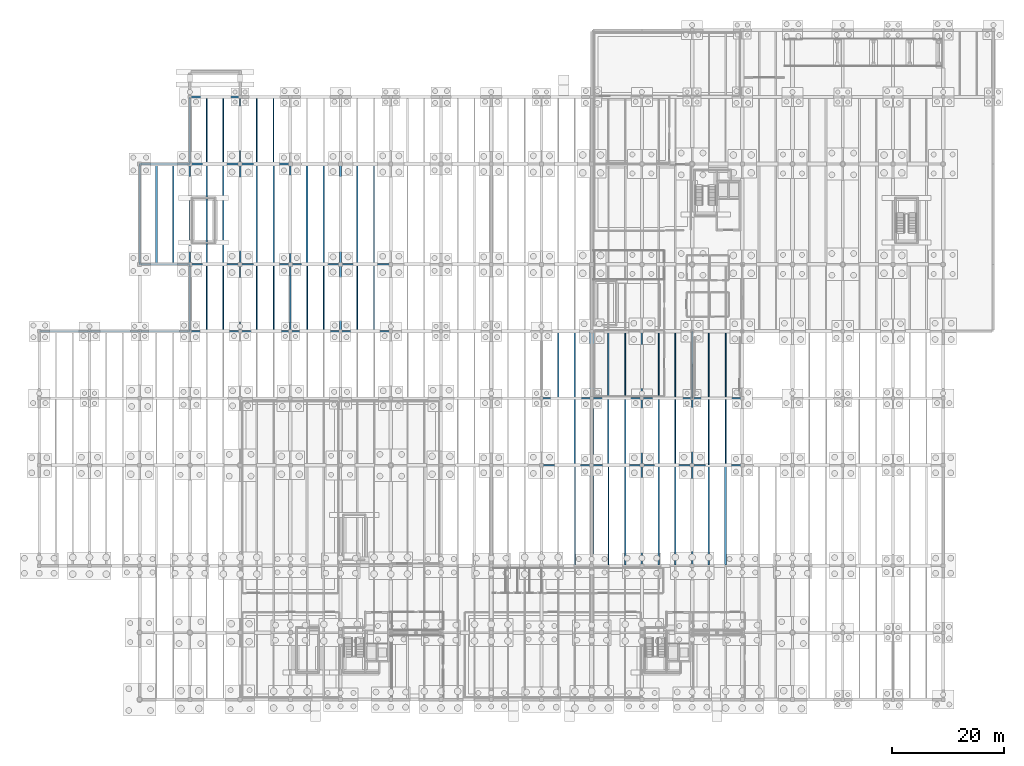
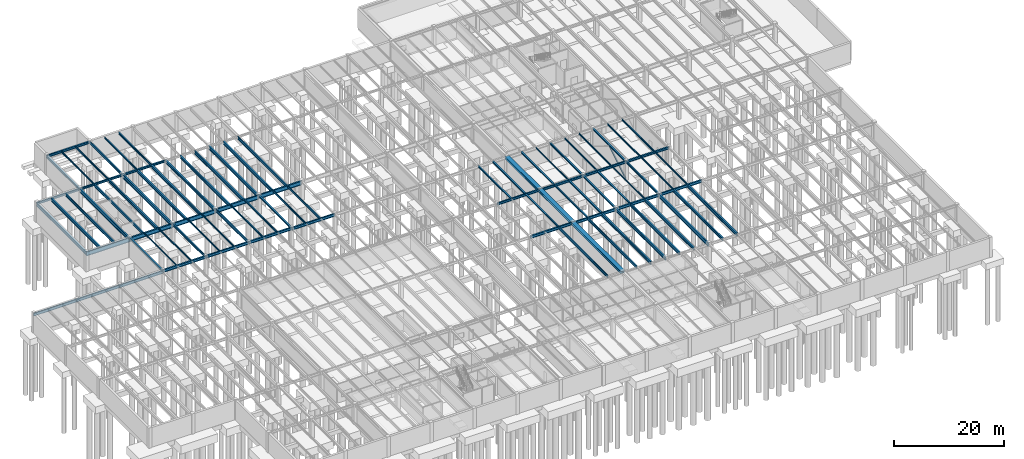
# One storey, part 17 of 40: 88 beams, 1 member.
"""IFC4 building model written with IfcOpenShell, lengths in metres."""

from ifc_helpers import new_model, si_unit, direction, frame, origin, origin_2d, place, context, subcontext, project, spatial, hollow_circle, i_section, extrude, material, material_profile, profile_set, type_object, element, save


model = new_model("IFC4")

# Units and contexts
model_context = context("Model", 3, precision=1e-05, world=origin(), true_north=direction((0.0, 1.0)))
body_context = subcontext(model_context, "Body", "Model", "MODEL_VIEW")
ifc_project = project(units=[si_unit("LENGTHUNIT", "METRE"), si_unit("AREAUNIT", "SQUARE_METRE"), si_unit("VOLUMEUNIT", "CUBIC_METRE"), si_unit("PLANEANGLEUNIT", "RADIAN"), si_unit("MASSUNIT", "GRAM", prefix="KILO")], contexts=[model_context])

# Site, building, storey
site_placement = place(None, origin())
site = spatial("IfcSite", under=ifc_project, at=site_placement, CompositionType="ELEMENT")
building_placement = place(site_placement, origin())
building = spatial("IfcBuilding", under=site, at=building_placement, Name="Montelvaro Courts of Justice", CompositionType="ELEMENT")
storey_placement = place(building_placement, frame((0.0, 0.0, -4.5)))
storey = spatial("IfcBuildingStorey", under=building, at=storey_placement, Name="B01", CompositionType="ELEMENT", Elevation=-4.5)

# Beams
ifc_material = material(Name="Steel S355", Category="steel")
ifc_material_profile_1 = material_profile(ifc_material, i_section(OverallWidth=0.280029296875, OverallDepth=0.27001953125, WebThickness=0.008056640625, FlangeThickness=0.012939453125, at=origin_2d()), Name="HEA 280")
ifc_profile_set_1 = profile_set([ifc_material_profile_1], Name="Steel S355")
beam_type_1 = type_object("IfcBeamType", Name="Beam_HEA280", PredefinedType="BEAM", material=ifc_profile_set_1)
for number, where, z_axis, x_axis, name in (
    (1, (96.0, 42.110107421875, 4.18505859375), (0.0, 1.0, 0.0), (-1.0, 0.0, 0.0), "Beam B-14 B01"),
    (2, (93.0, 54.110107421875, 4.18505859375), (0.0, 1.0, 0.0), (-1.0, 0.0, 0.0), "Beam B-14 B01"),
    (3, (102.0, 42.110107421875, 4.18505859375), (0.0, 1.0, 0.0), (-1.0, 0.0, 0.0), "Beam B-14 B01"),
):
    element("IfcBeam", number, at=place(storey_placement, frame(where, z_axis=z_axis, x_axis=x_axis)), inside=storey, type_object=beam_type_1, Name=name, PredefinedType="BEAM", context=body_context, shape_type="SweptSolid", body=[
        extrude(i_section(OverallWidth=0.280029296875, OverallDepth=0.27001953125, WebThickness=0.008056640625, FlangeThickness=0.012939453125, at=origin_2d()), origin(), (0.0, 0.0, 1.0), 11.77978515625),
    ])
ifc_material_profile_2 = material_profile(ifc_material, i_section(OverallWidth=0.300048828125, OverallDepth=0.31005859375, WebThickness=0.009033203125, FlangeThickness=0.015380859375, at=origin_2d()), Name="HEA 320")
ifc_profile_set_2 = profile_set([ifc_material_profile_2], Name="Steel S355")
beam_type_2 = type_object("IfcBeamType", Name="Beam_HEA320", PredefinedType="BEAM", material=ifc_profile_set_2)
for number, where, z_axis, x_axis, name in (
    (4, (96.0, 54.110107421875, 4.1650390625), (0.0, 1.0, 0.0), (-1.0, 0.0, 0.0), "Beam B-15 B01"),
    (5, (105.0, 42.110107421875, 4.06494140625), (0.0, 1.0, 0.0), (-1.0, 0.0, 0.0), "Beam B-15 B01"),
    (6, (102.0, 54.110107421875, 4.1650390625), (0.0, 1.0, 0.0), (-1.0, 0.0, 0.0), "Beam B-15 B01"),
    (7, (111.0, 42.110107421875, 4.06494140625), (0.0, 1.0, 0.0), (-1.0, 0.0, 0.0), "Beam B-15 B01"),
):
    element("IfcBeam", number, at=place(storey_placement, frame(where, z_axis=z_axis, x_axis=x_axis)), inside=storey, type_object=beam_type_2, Name=name, PredefinedType="BEAM", context=body_context, shape_type="SweptSolid", body=[
        extrude(i_section(OverallWidth=0.300048828125, OverallDepth=0.31005859375, WebThickness=0.009033203125, FlangeThickness=0.015380859375, at=origin_2d()), origin(), (0.0, 0.0, 1.0), 11.77978515625),
    ])
ifc_material_profile_3 = material_profile(ifc_material, i_section(OverallWidth=0.300048828125, OverallDepth=0.35009765625, WebThickness=0.010009765625, FlangeThickness=0.017578125, at=origin_2d()), Name="HEA 360")
ifc_profile_set_3 = profile_set([ifc_material_profile_3], Name="Steel S355")
beam_type_3 = type_object("IfcBeamType", Name="Beam_HEA360", PredefinedType="USERDEFINED", material=ifc_profile_set_3)
for number, where, z_axis, x_axis, name in (
    (8, (54.0, 66.0, 4.044921875), (0.0, 1.0, 0.0), (-1.0, 0.0, 0.0), "Beam B-16 B01"),
    (9, (108.0, 42.0, 4.044921875), (0.0, 1.0, 0.0), (-1.0, 0.0, 0.0), "Beam B-16 B01"),
    (10, (108.0, 54.0, 4.044921875), (0.0, 1.0, 0.0), (-1.0, 0.0, 0.0), "Beam B-16 B01"),
):
    element("IfcBeam", number, at=place(storey_placement, frame(where, z_axis=z_axis, x_axis=x_axis)), inside=storey, type_object=beam_type_3, Name=name, ObjectType="GIRDER", PredefinedType="USERDEFINED", context=body_context, shape_type="SweptSolid", body=[
        extrude(i_section(OverallWidth=0.300048828125, OverallDepth=0.35009765625, WebThickness=0.010009765625, FlangeThickness=0.017578125, at=origin_2d()), origin(), (0.0, 0.0, 1.0), 12.0),
    ])
ifc_material_profile_4 = material_profile(ifc_material, i_section(OverallWidth=0.300048828125, OverallDepth=0.389892578125, WebThickness=0.010986328125, FlangeThickness=0.01904296875, at=origin_2d()), Name="HEA 400")
ifc_profile_set_4 = profile_set([ifc_material_profile_4], Name="Steel S355")
beam_type_4 = type_object("IfcBeamType", Name="Beam_HEA400", PredefinedType="USERDEFINED", material=ifc_profile_set_4)
for number, where, z_axis, x_axis, name in (
    (11, (117.0, 42.0, 4.02490234375), (0.0, 1.0, 0.0), (-1.0, 0.0, 0.0), "Beam B-17 B01"),
    (12, (117.0, 54.0, 4.02490234375), (0.0, 1.0, 0.0), (-1.0, 0.0, 0.0), "Beam B-17 B01"),
):
    element("IfcBeam", number, at=place(storey_placement, frame(where, z_axis=z_axis, x_axis=x_axis)), inside=storey, type_object=beam_type_4, Name=name, ObjectType="GIRDER", PredefinedType="USERDEFINED", context=body_context, shape_type="SweptSolid", body=[
        extrude(i_section(OverallWidth=0.300048828125, OverallDepth=0.389892578125, WebThickness=0.010986328125, FlangeThickness=0.01904296875, at=origin_2d()), origin(), (0.0, 0.0, 1.0), 12.0),
    ])
ifc_material_profile_5 = material_profile(ifc_material, i_section(OverallWidth=0.300048828125, OverallDepth=0.43994140625, WebThickness=0.011474609375, FlangeThickness=0.02099609375, at=origin_2d()), Name="HEA 450")
ifc_profile_set_5 = profile_set([ifc_material_profile_5], Name="Steel S355")
beam_type_5 = type_object("IfcBeamType", Name="Beam_HEA450", PredefinedType="USERDEFINED", material=ifc_profile_set_5)
for number, where, z_axis, x_axis, name in (
    (13, (18.0, 96.0, 3.9599609375), (1.0, 0.0, 0.0), (0.0, 1.0, 0.0), "Beam B-18 B01"),
    (14, (27.0, 96.0, 3.9599609375), (1.0, 0.0, 0.0), (0.0, 1.0, 0.0), "Beam B-18 B01"),
    (15, (36.0, 96.0, 3.9599609375), (1.0, 0.0, 0.0), (0.0, 1.0, 0.0), "Beam B-18 B01"),
):
    element("IfcBeam", number, at=place(storey_placement, frame(where, z_axis=z_axis, x_axis=x_axis)), inside=storey, type_object=beam_type_5, Name=name, ObjectType="GIRDER", PredefinedType="USERDEFINED", context=body_context, shape_type="SweptSolid", body=[
        extrude(i_section(OverallWidth=0.300048828125, OverallDepth=0.43994140625, WebThickness=0.011474609375, FlangeThickness=0.02099609375, at=origin_2d()), origin(), (0.0, 0.0, 1.0), 9.0),
    ])
ifc_material_profile_6 = material_profile(ifc_material, i_section(OverallWidth=0.300048828125, OverallDepth=0.489990234375, WebThickness=0.011962890625, FlangeThickness=0.02294921875, at=origin_2d()), Name="HEA 500")
ifc_profile_set_6 = profile_set([ifc_material_profile_6], Name="Steel S355")
beam_type_6 = type_object("IfcBeamType", Name="Beam_HEA500", PredefinedType="USERDEFINED", material=ifc_profile_set_6)
beam_1_placement = place(storey_placement, frame((27.0, 108.0, 3.93505859375), z_axis=(1.0, 0.0, 0.0), x_axis=(0.0, 1.0, 0.0)))
element("IfcBeam", 16, at=beam_1_placement, inside=storey, type_object=beam_type_6, Name="Beam B-19 B01", ObjectType="GIRDER", PredefinedType="USERDEFINED", context=body_context, shape_type="SweptSolid", body=[
    extrude(i_section(OverallWidth=0.300048828125, OverallDepth=0.489990234375, WebThickness=0.011962890625, FlangeThickness=0.02294921875, at=origin_2d()), origin(), (0.0, 0.0, 1.0), 9.0),
])
for number, where, z_axis, x_axis, name in (
    (17, (27.0, 66.0, 4.074951171875), (0.0, 1.0, 0.0), (-1.0, 0.0, 0.0), "Beam B-19 B01"),
    (18, (27.0, 96.0, 3.93505859375), (0.0, 1.0, 0.0), (-1.0, 0.0, 0.0), "Beam B-19 B01"),
):
    element("IfcBeam", number, at=place(storey_placement, frame(where, z_axis=z_axis, x_axis=x_axis)), inside=storey, type_object=beam_type_6, Name=name, ObjectType="GIRDER", PredefinedType="USERDEFINED", context=body_context, shape_type="SweptSolid", body=[
        extrude(i_section(OverallWidth=0.300048828125, OverallDepth=0.489990234375, WebThickness=0.011962890625, FlangeThickness=0.02294921875, at=origin_2d()), origin(), (0.0, 0.0, 1.0), 12.0),
    ])
ifc_material_profile_7 = material_profile(ifc_material, i_section(OverallWidth=0.300048828125, OverallDepth=0.590087890625, WebThickness=0.012939453125, FlangeThickness=0.02490234375, at=origin_2d()), Name="HEA 600")
ifc_profile_set_7 = profile_set([ifc_material_profile_7], Name="Steel S355")
beam_type_7 = type_object("IfcBeamType", Name="Beam_HEA600", PredefinedType="USERDEFINED", material=ifc_profile_set_7)
for number, where, z_axis, x_axis, name in (
    (19, (90.0, 42.0, 4.02490234375), (1.0, 0.0, 0.0), (0.0, 1.0, 0.0), "Beam B-21 B01"),
    (20, (99.050048828125, 42.0, 3.925048828125), (1.0, 0.0, 0.0), (0.0, 1.0, 0.0), "Beam B-21 B01"),
):
    element("IfcBeam", number, at=place(storey_placement, frame(where, z_axis=z_axis, x_axis=x_axis)), inside=storey, type_object=beam_type_7, Name=name, ObjectType="GIRDER", PredefinedType="USERDEFINED", context=body_context, shape_type="SweptSolid", body=[
        extrude(i_section(OverallWidth=0.300048828125, OverallDepth=0.590087890625, WebThickness=0.012939453125, FlangeThickness=0.02490234375, at=origin_2d()), origin(), (0.0, 0.0, 1.0), 8.949951171875),
    ])
for number, where, z_axis, x_axis, name in (
    (21, (108.0, 42.0, 3.925048828125), (1.0, 0.0, 0.0), (0.0, 1.0, 0.0), "Beam B-21 B01"),
    (22, (117.0, 42.0, 3.925048828125), (1.0, 0.0, 0.0), (0.0, 1.0, 0.0), "Beam B-21 B01"),
):
    element("IfcBeam", number, at=place(storey_placement, frame(where, z_axis=z_axis, x_axis=x_axis)), inside=storey, type_object=beam_type_7, Name=name, ObjectType="GIRDER", PredefinedType="USERDEFINED", context=body_context, shape_type="SweptSolid", body=[
        extrude(i_section(OverallWidth=0.300048828125, OverallDepth=0.590087890625, WebThickness=0.012939453125, FlangeThickness=0.02490234375, at=origin_2d()), origin(), (0.0, 0.0, 1.0), 9.0),
    ])
ifc_material_profile_8 = material_profile(ifc_material, i_section(OverallWidth=0.300048828125, OverallDepth=0.639892578125, WebThickness=0.013427734375, FlangeThickness=0.02587890625, at=origin_2d()), Name="HEA 650")
ifc_profile_set_8 = profile_set([ifc_material_profile_8], Name="Steel S355")
beam_type_8 = type_object("IfcBeamType", Name="Beam_HEA650", PredefinedType="USERDEFINED", material=ifc_profile_set_8)
for number, where, z_axis, x_axis, name in (
    (23, (42.0, 78.110107421875, 3.860107421875), (0.0, 1.0, 0.0), (-1.0, 0.0, 0.0), "Beam B-22 B01"),
    (24, (48.0, 78.110107421875, 3.860107421875), (0.0, 1.0, 0.0), (-1.0, 0.0, 0.0), "Beam B-22 B01"),
    (25, (114.0, 24.110107421875, 3.89990234375), (0.0, 1.0, 0.0), (-1.0, 0.0, 0.0), "Beam B-22 B01"),
    (26, (120.0, 24.110107421875, 3.89990234375), (0.0, 1.0, 0.0), (-1.0, 0.0, 0.0), "Beam B-22 B01"),
):
    element("IfcBeam", number, at=place(storey_placement, frame(where, z_axis=z_axis, x_axis=x_axis)), inside=storey, type_object=beam_type_8, Name=name, ObjectType="GIRDER", PredefinedType="USERDEFINED", context=body_context, shape_type="SweptSolid", body=[
        extrude(i_section(OverallWidth=0.300048828125, OverallDepth=0.639892578125, WebThickness=0.013427734375, FlangeThickness=0.02587890625, at=origin_2d()), origin(), (0.0, 0.0, 1.0), 17.77978515625),
    ])
ifc_material_profile_9 = material_profile(ifc_material, i_section(OverallWidth=0.300048828125, OverallDepth=0.68994140625, WebThickness=0.014404296875, FlangeThickness=0.027099609375, at=origin_2d()), Name="HEA 700")
ifc_profile_set_9 = profile_set([ifc_material_profile_9], Name="Steel S355")
beam_type_9 = type_object("IfcBeamType", Name="Beam_HEA700", PredefinedType="USERDEFINED", material=ifc_profile_set_9)
for number, where, z_axis, x_axis, name in (
    (27, (18.0, 78.0, 3.8349609375), (0.0, 1.0, 0.0), (-1.0, 0.0, 0.0), "Beam B-23 B01"),
    (28, (108.0, 24.0, 3.875), (0.0, 1.0, 0.0), (-1.0, 0.0, 0.0), "Beam B-23 B01"),
):
    element("IfcBeam", number, at=place(storey_placement, frame(where, z_axis=z_axis, x_axis=x_axis)), inside=storey, type_object=beam_type_9, Name=name, ObjectType="GIRDER", PredefinedType="USERDEFINED", context=body_context, shape_type="SweptSolid", body=[
        extrude(i_section(OverallWidth=0.300048828125, OverallDepth=0.68994140625, WebThickness=0.014404296875, FlangeThickness=0.027099609375, at=origin_2d()), origin(), (0.0, 0.0, 1.0), 18.0),
    ])
for number, where, z_axis, x_axis, name in (
    (29, (21.0, 78.110107421875, 3.8349609375), (0.0, 1.0, 0.0), (-1.0, 0.0, 0.0), "Beam B-23 B01"),
    (30, (51.0, 78.110107421875, 3.8349609375), (0.0, 1.0, 0.0), (-1.0, 0.0, 0.0), "Beam B-23 B01"),
    (31, (57.0, 78.110107421875, 3.8349609375), (0.0, 1.0, 0.0), (-1.0, 0.0, 0.0), "Beam B-23 B01"),
    (32, (123.0, 24.110107421875, 3.875), (0.0, 1.0, 0.0), (-1.0, 0.0, 0.0), "Beam B-23 B01"),
):
    element("IfcBeam", number, at=place(storey_placement, frame(where, z_axis=z_axis, x_axis=x_axis)), inside=storey, type_object=beam_type_9, Name=name, ObjectType="GIRDER", PredefinedType="USERDEFINED", context=body_context, shape_type="SweptSolid", body=[
        extrude(i_section(OverallWidth=0.300048828125, OverallDepth=0.68994140625, WebThickness=0.014404296875, FlangeThickness=0.027099609375, at=origin_2d()), origin(), (0.0, 0.0, 1.0), 17.77978515625),
    ])
ifc_material_profile_10 = material_profile(ifc_material, i_section(OverallWidth=0.300048828125, OverallDepth=0.7900390625, WebThickness=0.014892578125, FlangeThickness=0.028076171875, at=origin_2d()), Name="HEA 800")
ifc_profile_set_10 = profile_set([ifc_material_profile_10], Name="Steel S355")
beam_type_10 = type_object("IfcBeamType", Name="Beam_HEA800", PredefinedType="USERDEFINED", material=ifc_profile_set_10)
for number, where, z_axis, x_axis, name in (
    (33, (27.0, 78.0, 3.784912109375), (0.0, 1.0, 0.0), (-1.0, 0.0, 0.0), "Beam B-24 B01"),
    (34, (117.0, 24.0, 3.824951171875), (0.0, 1.0, 0.0), (-1.0, 0.0, 0.0), "Beam B-24 B01"),
):
    element("IfcBeam", number, at=place(storey_placement, frame(where, z_axis=z_axis, x_axis=x_axis)), inside=storey, type_object=beam_type_10, Name=name, ObjectType="GIRDER", PredefinedType="USERDEFINED", context=body_context, shape_type="SweptSolid", body=[
        extrude(i_section(OverallWidth=0.300048828125, OverallDepth=0.7900390625, WebThickness=0.014892578125, FlangeThickness=0.028076171875, at=origin_2d()), origin(), (0.0, 0.0, 1.0), 18.0),
    ])
ifc_material_profile_11 = material_profile(ifc_material, i_section(OverallWidth=0.300048828125, OverallDepth=0.5, WebThickness=0.014404296875, FlangeThickness=0.028076171875, at=origin_2d()), Name="HEB 500")
ifc_profile_set_11 = profile_set([ifc_material_profile_11], Name="Steel S355")
beam_type_11 = type_object("IfcBeamType", Name="Beam_HEB500", PredefinedType="USERDEFINED", material=ifc_profile_set_11)
for number, where, z_axis, x_axis, name in (
    (35, (90.0, 54.0, 4.070068359375), (1.0, 0.0, 0.0), (0.0, 1.0, 0.0), "Beam B-25 B01"),
    (36, (99.050048828125, 54.0, 3.969970703125), (1.0, 0.0, 0.0), (0.0, 1.0, 0.0), "Beam B-25 B01"),
):
    element("IfcBeam", number, at=place(storey_placement, frame(where, z_axis=z_axis, x_axis=x_axis)), inside=storey, type_object=beam_type_11, Name=name, ObjectType="GIRDER", PredefinedType="USERDEFINED", context=body_context, shape_type="SweptSolid", body=[
        extrude(i_section(OverallWidth=0.300048828125, OverallDepth=0.5, WebThickness=0.014404296875, FlangeThickness=0.028076171875, at=origin_2d()), origin(), (0.0, 0.0, 1.0), 8.949951171875),
    ])
for number, where, z_axis, x_axis, name in (
    (37, (108.0, 54.0, 3.969970703125), (1.0, 0.0, 0.0), (0.0, 1.0, 0.0), "Beam B-25 B01"),
    (38, (117.0, 54.0, 3.969970703125), (1.0, 0.0, 0.0), (0.0, 1.0, 0.0), "Beam B-25 B01"),
):
    element("IfcBeam", number, at=place(storey_placement, frame(where, z_axis=z_axis, x_axis=x_axis)), inside=storey, type_object=beam_type_11, Name=name, ObjectType="GIRDER", PredefinedType="USERDEFINED", context=body_context, shape_type="SweptSolid", body=[
        extrude(i_section(OverallWidth=0.300048828125, OverallDepth=0.5, WebThickness=0.014404296875, FlangeThickness=0.028076171875, at=origin_2d()), origin(), (0.0, 0.0, 1.0), 9.0),
    ])
ifc_material_profile_12 = material_profile(ifc_material, i_section(OverallWidth=0.300048828125, OverallDepth=0.60009765625, WebThickness=0.015380859375, FlangeThickness=0.030029296875, at=origin_2d()), Name="HEB 600")
ifc_profile_set_12 = profile_set([ifc_material_profile_12], Name="Steel S355")
beam_type_12 = type_object("IfcBeamType", Name="Beam_HEB600", PredefinedType="USERDEFINED", material=ifc_profile_set_12)
for number, where, z_axis, x_axis, name in (
    (39, (0.0, 66.0, 3.860107421875), (1.0, 0.0, 0.0), (0.0, 1.0, 0.0), "Beam B-26 B01"),
    (40, (9.0, 66.0, 3.860107421875), (1.0, 0.0, 0.0), (0.0, 1.0, 0.0), "Beam B-26 B01"),
    (41, (18.0, 66.0, 3.860107421875), (1.0, 0.0, 0.0), (0.0, 1.0, 0.0), "Beam B-26 B01"),
    (42, (27.0, 66.0, 4.02001953125), (1.0, 0.0, 0.0), (0.0, 1.0, 0.0), "Beam B-26 B01"),
    (43, (36.0, 66.0, 4.02001953125), (1.0, 0.0, 0.0), (0.0, 1.0, 0.0), "Beam B-26 B01"),
    (44, (45.0, 66.0, 4.02001953125), (1.0, 0.0, 0.0), (0.0, 1.0, 0.0), "Beam B-26 B01"),
    (45, (54.0, 66.0, 3.919921875), (1.0, 0.0, 0.0), (0.0, 1.0, 0.0), "Beam B-26 B01"),
):
    element("IfcBeam", number, at=place(storey_placement, frame(where, z_axis=z_axis, x_axis=x_axis)), inside=storey, type_object=beam_type_12, Name=name, ObjectType="GIRDER", PredefinedType="USERDEFINED", context=body_context, shape_type="SweptSolid", body=[
        extrude(i_section(OverallWidth=0.300048828125, OverallDepth=0.60009765625, WebThickness=0.015380859375, FlangeThickness=0.030029296875, at=origin_2d()), origin(), (0.0, 0.0, 1.0), 9.0),
    ])
ifc_material_profile_13 = material_profile(ifc_material, i_section(OverallWidth=0.300048828125, OverallDepth=0.64990234375, WebThickness=0.01611328125, FlangeThickness=0.031005859375, at=origin_2d()), Name="HEB 650")
ifc_profile_set_13 = profile_set([ifc_material_profile_13], Name="Steel S355")
beam_type_13 = type_object("IfcBeamType", Name="Beam_HEB650", PredefinedType="USERDEFINED", material=ifc_profile_set_13)
beam_2_placement = place(storey_placement, frame((45.0, 78.0, 3.85498046875), z_axis=(0.0, 1.0, 0.0), x_axis=(-1.0, 0.0, 0.0)))
element("IfcBeam", 46, at=beam_2_placement, inside=storey, type_object=beam_type_13, Name="Beam B-27 B01", ObjectType="GIRDER", PredefinedType="USERDEFINED", context=body_context, shape_type="SweptSolid", body=[
    extrude(i_section(OverallWidth=0.300048828125, OverallDepth=0.64990234375, WebThickness=0.01611328125, FlangeThickness=0.031005859375, at=origin_2d()), origin(), (0.0, 0.0, 1.0), 18.0),
])
for number, where, z_axis, x_axis, name in (
    (47, (33.0, 78.110107421875, 3.85498046875), (0.0, 1.0, 0.0), (-1.0, 0.0, 0.0), "Beam B-27 B01"),
    (48, (39.0, 78.110107421875, 3.85498046875), (0.0, 1.0, 0.0), (-1.0, 0.0, 0.0), "Beam B-27 B01"),
    (49, (105.0, 24.110107421875, 3.89501953125), (0.0, 1.0, 0.0), (-1.0, 0.0, 0.0), "Beam B-27 B01"),
    (50, (111.0, 24.110107421875, 3.89501953125), (0.0, 1.0, 0.0), (-1.0, 0.0, 0.0), "Beam B-27 B01"),
):
    element("IfcBeam", number, at=place(storey_placement, frame(where, z_axis=z_axis, x_axis=x_axis)), inside=storey, type_object=beam_type_13, Name=name, ObjectType="GIRDER", PredefinedType="USERDEFINED", context=body_context, shape_type="SweptSolid", body=[
        extrude(i_section(OverallWidth=0.300048828125, OverallDepth=0.64990234375, WebThickness=0.01611328125, FlangeThickness=0.031005859375, at=origin_2d()), origin(), (0.0, 0.0, 1.0), 17.77978515625),
    ])
ifc_material_profile_14 = material_profile(ifc_material, i_section(OverallWidth=0.300048828125, OverallDepth=0.699951171875, WebThickness=0.01708984375, FlangeThickness=0.031982421875, at=origin_2d()), Name="HEB 700")
ifc_profile_set_14 = profile_set([ifc_material_profile_14], Name="Steel S355")
beam_type_14 = type_object("IfcBeamType", Name="Beam_HEB700", PredefinedType="USERDEFINED", material=ifc_profile_set_14)
beam_3_placement = place(storey_placement, frame((54.0, 78.0, 3.830078125), z_axis=(0.0, 1.0, 0.0), x_axis=(-1.0, 0.0, 0.0)))
element("IfcBeam", 51, at=beam_3_placement, inside=storey, type_object=beam_type_14, Name="Beam B-28 B01", ObjectType="GIRDER", PredefinedType="USERDEFINED", context=body_context, shape_type="SweptSolid", body=[
    extrude(i_section(OverallWidth=0.300048828125, OverallDepth=0.699951171875, WebThickness=0.01708984375, FlangeThickness=0.031982421875, at=origin_2d()), origin(), (0.0, 0.0, 1.0), 18.0),
])
ifc_material_profile_15 = material_profile(ifc_material, i_section(OverallWidth=0.300048828125, OverallDepth=0.800048828125, WebThickness=0.017578125, FlangeThickness=0.032958984375, at=origin_2d()), Name="HEB 800")
ifc_profile_set_15 = profile_set([ifc_material_profile_15], Name="Steel S355")
beam_type_15 = type_object("IfcBeamType", Name="Beam_HEB800", PredefinedType="USERDEFINED", material=ifc_profile_set_15)
beam_4_placement = place(storey_placement, frame((36.0, 78.0, 3.780029296875), z_axis=(0.0, 1.0, 0.0), x_axis=(-1.0, 0.0, 0.0)))
element("IfcBeam", 52, at=beam_4_placement, inside=storey, type_object=beam_type_15, Name="Beam B-29 B01", ObjectType="GIRDER", PredefinedType="USERDEFINED", context=body_context, shape_type="SweptSolid", body=[
    extrude(i_section(OverallWidth=0.300048828125, OverallDepth=0.800048828125, WebThickness=0.017578125, FlangeThickness=0.032958984375, at=origin_2d()), origin(), (0.0, 0.0, 1.0), 18.0),
])
ifc_material_profile_16 = material_profile(ifc_material, i_section(OverallWidth=0.300048828125, OverallDepth=0.89990234375, WebThickness=0.0185546875, FlangeThickness=0.034912109375, at=origin_2d()), Name="HEB 900")
ifc_profile_set_16 = profile_set([ifc_material_profile_16], Name="Steel S355")
beam_type_16 = type_object("IfcBeamType", Name="Beam_HEB900", PredefinedType="USERDEFINED", material=ifc_profile_set_16)
for number, where, z_axis, x_axis, name in (
    (53, (18.0, 78.0, 3.72998046875), (1.0, 0.0, 0.0), (0.0, 1.0, 0.0), "Beam B-30 B01"),
    (54, (27.0, 78.0, 3.72998046875), (1.0, 0.0, 0.0), (0.0, 1.0, 0.0), "Beam B-30 B01"),
    (55, (36.0, 78.0, 3.72998046875), (1.0, 0.0, 0.0), (0.0, 1.0, 0.0), "Beam B-30 B01"),
    (56, (45.0, 78.0, 3.72998046875), (1.0, 0.0, 0.0), (0.0, 1.0, 0.0), "Beam B-30 B01"),
    (57, (54.0, 78.0, 3.72998046875), (1.0, 0.0, 0.0), (0.0, 1.0, 0.0), "Beam B-30 B01"),
):
    element("IfcBeam", number, at=place(storey_placement, frame(where, z_axis=z_axis, x_axis=x_axis)), inside=storey, type_object=beam_type_16, Name=name, ObjectType="GIRDER", PredefinedType="USERDEFINED", context=body_context, shape_type="SweptSolid", body=[
        extrude(i_section(OverallWidth=0.300048828125, OverallDepth=0.89990234375, WebThickness=0.0185546875, FlangeThickness=0.034912109375, at=origin_2d()), origin(), (0.0, 0.0, 1.0), 9.0),
    ])
ifc_material_profile_17 = material_profile(ifc_material, i_section(OverallWidth=0.14990234375, OverallDepth=0.300048828125, WebThickness=0.007080078125, FlangeThickness=0.0107421875, at=origin_2d()), Name="IPE 300")
ifc_profile_set_17 = profile_set([ifc_material_profile_17], Name="Steel S355")
beam_type_17 = type_object("IfcBeamType", Name="Beam_IPE300", PredefinedType="BEAM", material=ifc_profile_set_17)
for number, where, z_axis, x_axis, name in (
    (58, (30.0, 66.110107421875, 4.169921875), (0.0, 1.0, 0.0), (-1.0, 0.0, 0.0), "Beam B-05 B01"),
    (59, (105.0, 54.110107421875, 4.070068359375), (0.0, 1.0, 0.0), (-1.0, 0.0, 0.0), "Beam B-05 B01"),
    (60, (114.0, 42.110107421875, 4.070068359375), (0.0, 1.0, 0.0), (-1.0, 0.0, 0.0), "Beam B-05 B01"),
    (61, (111.0, 54.110107421875, 4.070068359375), (0.0, 1.0, 0.0), (-1.0, 0.0, 0.0), "Beam B-05 B01"),
    (62, (120.0, 42.110107421875, 4.070068359375), (0.0, 1.0, 0.0), (-1.0, 0.0, 0.0), "Beam B-05 B01"),
):
    element("IfcBeam", number, at=place(storey_placement, frame(where, z_axis=z_axis, x_axis=x_axis)), inside=storey, type_object=beam_type_17, Name=name, PredefinedType="BEAM", context=body_context, shape_type="SweptSolid", body=[
        extrude(i_section(OverallWidth=0.14990234375, OverallDepth=0.300048828125, WebThickness=0.007080078125, FlangeThickness=0.0107421875, at=origin_2d()), origin(), (0.0, 0.0, 1.0), 11.77978515625),
    ])
ifc_material_profile_18 = material_profile(ifc_material, i_section(OverallWidth=0.159912109375, OverallDepth=0.330078125, WebThickness=0.007568359375, FlangeThickness=0.011474609375, at=origin_2d()), Name="IPE 330")
ifc_profile_set_18 = profile_set([ifc_material_profile_18], Name="Steel S355")
beam_type_18 = type_object("IfcBeamType", Name="Beam_IPE330", PredefinedType="BEAM", material=ifc_profile_set_18)
for number, where, z_axis, x_axis, name in (
    (63, (33.0, 66.110107421875, 4.155029296875), (0.0, 1.0, 0.0), (-1.0, 0.0, 0.0), "Beam B-06 B01"),
    (64, (39.0, 66.110107421875, 4.155029296875), (0.0, 1.0, 0.0), (-1.0, 0.0, 0.0), "Beam B-06 B01"),
    (65, (114.0, 54.110107421875, 4.054931640625), (0.0, 1.0, 0.0), (-1.0, 0.0, 0.0), "Beam B-06 B01"),
    (66, (123.0, 42.110107421875, 4.054931640625), (0.0, 1.0, 0.0), (-1.0, 0.0, 0.0), "Beam B-06 B01"),
    (67, (120.0, 54.110107421875, 4.054931640625), (0.0, 1.0, 0.0), (-1.0, 0.0, 0.0), "Beam B-06 B01"),
):
    element("IfcBeam", number, at=place(storey_placement, frame(where, z_axis=z_axis, x_axis=x_axis)), inside=storey, type_object=beam_type_18, Name=name, PredefinedType="BEAM", context=body_context, shape_type="SweptSolid", body=[
        extrude(i_section(OverallWidth=0.159912109375, OverallDepth=0.330078125, WebThickness=0.007568359375, FlangeThickness=0.011474609375, at=origin_2d()), origin(), (0.0, 0.0, 1.0), 11.77978515625),
    ])
ifc_material_profile_19 = material_profile(ifc_material, i_section(OverallWidth=0.169921875, OverallDepth=0.360107421875, WebThickness=0.008056640625, FlangeThickness=0.0126953125, at=origin_2d()), Name="IPE 360")
ifc_profile_set_19 = profile_set([ifc_material_profile_19], Name="Steel S355")
beam_type_19 = type_object("IfcBeamType", Name="Beam_IPE360", PredefinedType="BEAM", material=ifc_profile_set_19)
for number, where, z_axis, x_axis, name in (
    (68, (30.0, 96.110107421875, 4.0), (0.0, 1.0, 0.0), (-1.0, 0.0, 0.0), "Beam B-07 B01"),
    (69, (42.0, 66.110107421875, 4.139892578125), (0.0, 1.0, 0.0), (-1.0, 0.0, 0.0), "Beam B-07 B01"),
    (70, (48.0, 66.110107421875, 4.139892578125), (0.0, 1.0, 0.0), (-1.0, 0.0, 0.0), "Beam B-07 B01"),
    (71, (123.0, 54.110107421875, 4.0400390625), (0.0, 1.0, 0.0), (-1.0, 0.0, 0.0), "Beam B-07 B01"),
):
    element("IfcBeam", number, at=place(storey_placement, frame(where, z_axis=z_axis, x_axis=x_axis)), inside=storey, type_object=beam_type_19, Name=name, PredefinedType="BEAM", context=body_context, shape_type="SweptSolid", body=[
        extrude(i_section(OverallWidth=0.169921875, OverallDepth=0.360107421875, WebThickness=0.008056640625, FlangeThickness=0.0126953125, at=origin_2d()), origin(), (0.0, 0.0, 1.0), 11.77978515625),
    ])
ifc_material_profile_20 = material_profile(ifc_material, i_section(OverallWidth=0.179931640625, OverallDepth=0.39990234375, WebThickness=0.008544921875, FlangeThickness=0.013427734375, at=origin_2d()), Name="IPE 400")
ifc_profile_set_20 = profile_set([ifc_material_profile_20], Name="Steel S355")
beam_type_20 = type_object("IfcBeamType", Name="Beam_IPE400", PredefinedType="BEAM", material=ifc_profile_set_20)
for number, where, z_axis, x_axis, name in (
    (72, (33.0, 96.110107421875, 3.97998046875), (0.0, 1.0, 0.0), (-1.0, 0.0, 0.0), "Beam B-08 B01"),
    (73, (39.0, 96.110107421875, 3.97998046875), (0.0, 1.0, 0.0), (-1.0, 0.0, 0.0), "Beam B-08 B01"),
    (74, (51.0, 66.110107421875, 4.1201171875), (0.0, 1.0, 0.0), (-1.0, 0.0, 0.0), "Beam B-08 B01"),
    (75, (57.0, 66.110107421875, 4.02001953125), (0.0, 1.0, 0.0), (-1.0, 0.0, 0.0), "Beam B-08 B01"),
):
    element("IfcBeam", number, at=place(storey_placement, frame(where, z_axis=z_axis, x_axis=x_axis)), inside=storey, type_object=beam_type_20, Name=name, PredefinedType="BEAM", context=body_context, shape_type="SweptSolid", body=[
        extrude(i_section(OverallWidth=0.179931640625, OverallDepth=0.39990234375, WebThickness=0.008544921875, FlangeThickness=0.013427734375, at=origin_2d()), origin(), (0.0, 0.0, 1.0), 11.77978515625),
    ])
ifc_material_profile_21 = material_profile(ifc_material, i_section(OverallWidth=0.18994140625, OverallDepth=0.449951171875, WebThickness=0.009521484375, FlangeThickness=0.0146484375, at=origin_2d()), Name="IPE 450")
ifc_profile_set_21 = profile_set([ifc_material_profile_21], Name="Steel S355")
beam_type_21 = type_object("IfcBeamType", Name="Beam_IPE450", PredefinedType="BEAM", material=ifc_profile_set_21)
for number, where, z_axis, x_axis, name in (
    (76, (42.0, 96.110107421875, 3.955078125), (0.0, 1.0, 0.0), (-1.0, 0.0, 0.0), "Beam B-09 B01"),
    (77, (60.0, 66.110107421875, 3.9951171875), (0.0, 1.0, 0.0), (-1.0, 0.0, 0.0), "Beam B-09 B01"),
):
    element("IfcBeam", number, at=place(storey_placement, frame(where, z_axis=z_axis, x_axis=x_axis)), inside=storey, type_object=beam_type_21, Name=name, PredefinedType="BEAM", context=body_context, shape_type="SweptSolid", body=[
        extrude(i_section(OverallWidth=0.18994140625, OverallDepth=0.449951171875, WebThickness=0.009521484375, FlangeThickness=0.0146484375, at=origin_2d()), origin(), (0.0, 0.0, 1.0), 11.77978515625),
    ])
ifc_material_profile_22 = material_profile(ifc_material, i_section(OverallWidth=0.2099609375, OverallDepth=0.550048828125, WebThickness=0.010986328125, FlangeThickness=0.01708984375, at=origin_2d()), Name="IPE 550")
ifc_profile_set_22 = profile_set([ifc_material_profile_22], Name="Steel S355")
beam_type_22 = type_object("IfcBeamType", Name="Beam_IPE550", PredefinedType="BEAM", material=ifc_profile_set_22)
for number, where, z_axis, x_axis, name in (
    (78, (36.0, 66.0, 4.044921875), (0.0, 1.0, 0.0), (-1.0, 0.0, 0.0), "Beam B-11 B01"),
    (79, (36.0, 96.0, 3.905029296875), (0.0, 1.0, 0.0), (-1.0, 0.0, 0.0), "Beam B-11 B01"),
):
    element("IfcBeam", number, at=place(storey_placement, frame(where, z_axis=z_axis, x_axis=x_axis)), inside=storey, type_object=beam_type_22, Name=name, PredefinedType="BEAM", context=body_context, shape_type="SweptSolid", body=[
        extrude(i_section(OverallWidth=0.2099609375, OverallDepth=0.550048828125, WebThickness=0.010986328125, FlangeThickness=0.01708984375, at=origin_2d()), origin(), (0.0, 0.0, 1.0), 12.0),
    ])
ifc_material_profile_23 = material_profile(ifc_material, i_section(OverallWidth=0.219970703125, OverallDepth=0.60009765625, WebThickness=0.011962890625, FlangeThickness=0.01904296875, at=origin_2d()), Name="IPE 600")
ifc_profile_set_23 = profile_set([ifc_material_profile_23], Name="Steel S355")
beam_type_23 = type_object("IfcBeamType", Name="Beam_IPE600", PredefinedType="USERDEFINED", material=ifc_profile_set_23)
beam_5_placement = place(storey_placement, frame((45.0, 66.0, 4.02001953125), z_axis=(0.0, 1.0, 0.0), x_axis=(-1.0, 0.0, 0.0)))
element("IfcBeam", 80, at=beam_5_placement, inside=storey, type_object=beam_type_23, Name="Beam B-12 B01", ObjectType="GIRDER", PredefinedType="USERDEFINED", context=body_context, shape_type="SweptSolid", body=[
    extrude(i_section(OverallWidth=0.219970703125, OverallDepth=0.60009765625, WebThickness=0.011962890625, FlangeThickness=0.01904296875, at=origin_2d()), origin(), (0.0, 0.0, 1.0), 12.0),
])
for number, where, z_axis, x_axis, name in (
    (81, (24.0, 78.110107421875, 3.8798828125), (0.0, 1.0, 0.0), (-1.0, 0.0, 0.0), "Beam B-12 B01"),
    (82, (30.0, 78.110107421875, 3.8798828125), (0.0, 1.0, 0.0), (-1.0, 0.0, 0.0), "Beam B-12 B01"),
    (83, (60.0, 78.110107421875, 3.8798828125), (0.0, 1.0, 0.0), (-1.0, 0.0, 0.0), "Beam B-12 B01"),
    (84, (96.0, 24.110107421875, 4.02001953125), (0.0, 1.0, 0.0), (-1.0, 0.0, 0.0), "Beam B-12 B01"),
    (85, (102.0, 24.110107421875, 4.02001953125), (0.0, 1.0, 0.0), (-1.0, 0.0, 0.0), "Beam B-12 B01"),
):
    element("IfcBeam", number, at=place(storey_placement, frame(where, z_axis=z_axis, x_axis=x_axis)), inside=storey, type_object=beam_type_23, Name=name, ObjectType="GIRDER", PredefinedType="USERDEFINED", context=body_context, shape_type="SweptSolid", body=[
        extrude(i_section(OverallWidth=0.219970703125, OverallDepth=0.60009765625, WebThickness=0.011962890625, FlangeThickness=0.01904296875, at=origin_2d()), origin(), (0.0, 0.0, 1.0), 17.77978515625),
    ])
ifc_material_profile_24 = material_profile(ifc_material, i_section(OverallWidth=0.860107421875, OverallDepth=0.47998046875, WebThickness=0.02001953125, FlangeThickness=0.031982421875, at=origin_2d()), Name="HL 480x860")
ifc_profile_set_24 = profile_set([ifc_material_profile_24], Name="Steel S355")
beam_type_24 = type_object("IfcBeamType", Name="Beam_MJSeat_860", PredefinedType="USERDEFINED", material=ifc_profile_set_24)
beam_6_placement = place(storey_placement, frame((99.0, 24.0, 4.080078125), z_axis=(0.0, 1.0, 0.0), x_axis=(-1.0, 0.0, 0.0)))
element("IfcBeam", 86, at=beam_6_placement, inside=storey, type_object=beam_type_24, Name="Beam BC-01 B01", ObjectType="GIRDER", PredefinedType="USERDEFINED", context=body_context, shape_type="SweptSolid", body=[
    extrude(i_section(OverallWidth=0.860107421875, OverallDepth=0.47998046875, WebThickness=0.02001953125, FlangeThickness=0.031982421875, at=origin_2d()), origin(), (0.0, 0.0, 1.0), 18.0),
])
for number, where, z_axis, x_axis, name in (
    (87, (99.0, 42.0, 4.080078125), (0.0, 1.0, 0.0), (-1.0, 0.0, 0.0), "Beam BC-01 B01"),
    (88, (99.0, 54.0, 4.080078125), (0.0, 1.0, 0.0), (-1.0, 0.0, 0.0), "Beam BC-01 B01"),
):
    element("IfcBeam", number, at=place(storey_placement, frame(where, z_axis=z_axis, x_axis=x_axis)), inside=storey, type_object=beam_type_24, Name=name, ObjectType="GIRDER", PredefinedType="USERDEFINED", context=body_context, shape_type="SweptSolid", body=[
        extrude(i_section(OverallWidth=0.860107421875, OverallDepth=0.47998046875, WebThickness=0.02001953125, FlangeThickness=0.031982421875, at=origin_2d()), origin(), (0.0, 0.0, 1.0), 12.0),
    ])

# Member
ifc_material_profile_25 = material_profile(ifc_material, hollow_circle(Radius=0.136474609375, WallThickness=0.012451171875, at=origin_2d()), Name="CHS 273x12.5")
ifc_profile_set_25 = profile_set([ifc_material_profile_25], Name="Steel S355")
member_type = type_object("IfcMemberType", Name="Mem_CHS273_Brace", PredefinedType="BRACE", material=ifc_profile_set_25)
member_placement = place(storey_placement, frame((117.0, 54.080078125, 0.199951171875), z_axis=(0.0, 0.851201189548, 0.524839532536), x_axis=(-1.0, 0.0, 0.0)))
element("IfcMember", 89, at=member_placement, inside=storey, type_object=member_type, Name="Lateral Braced Frame CBF4 Diagonal 1 (B01)", PredefinedType="BRACE", context=body_context, shape_type="SweptSolid", body=[
    extrude(hollow_circle(Radius=0.136474609375, WallThickness=0.012451171875, at=origin_2d()), origin(), (0.0, 0.0, 1.0), 6.954833984375),
])

save(model, "model.ifc")
